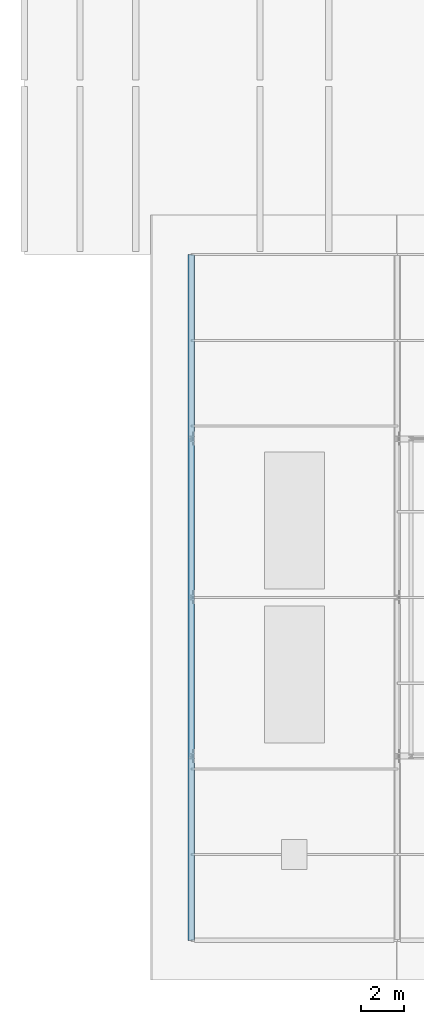
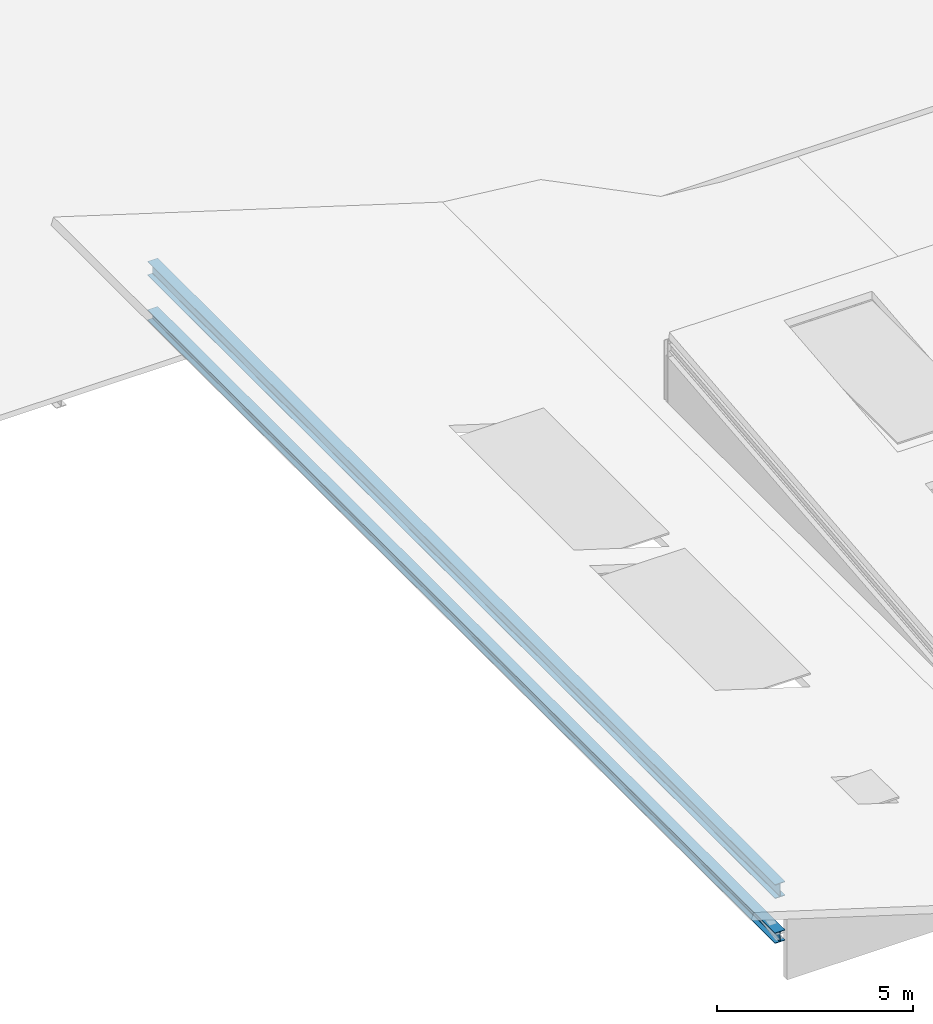
# One storey, part 4 of 30: 2 beams.
"""IFC4 building model written with IfcOpenShell, lengths in metres."""

from ifc_helpers import new_model, si_unit, direction, frame, origin, origin_2d, place, context, subcontext, project, spatial, i_section, extrude, material, material_profile, profile_set, type_object, element, save


model = new_model("IFC4")

# Units and contexts
model_context = context("Model", 3, precision=1e-05, world=origin(), true_north=direction((0.0, 1.0)))
body_context = subcontext(model_context, "Body", "Model", "MODEL_VIEW")
ifc_project = project(units=[si_unit("LENGTHUNIT", "METRE"), si_unit("AREAUNIT", "SQUARE_METRE"), si_unit("VOLUMEUNIT", "CUBIC_METRE"), si_unit("PLANEANGLEUNIT", "RADIAN"), si_unit("MASSUNIT", "GRAM", prefix="KILO")], contexts=[model_context])

# Site, building, storey
site_placement = place(None, origin())
site = spatial("IfcSite", under=ifc_project, at=site_placement, CompositionType="ELEMENT")
building_placement = place(site_placement, origin())
building = spatial("IfcBuilding", under=site, at=building_placement, Name="Alderhovde Museum", CompositionType="ELEMENT")
storey_placement = place(building_placement, frame((0.0, 0.0, 30.699951171875)))
storey = spatial("IfcBuildingStorey", under=building, at=storey_placement, Name="RF", CompositionType="ELEMENT", Elevation=30.699951171875)

# Beams
ifc_material_1 = material(Name="Steel S355J2", Category="steel")
ifc_material_profile_1 = material_profile(ifc_material_1, i_section(OverallWidth=0.300048828125, OverallDepth=0.330078125, WebThickness=0.009521484375, FlangeThickness=0.0166015625, FilletRadius=0.027099609375, at=origin_2d()), Name="HEA 340")
ifc_profile_set_1 = profile_set([ifc_material_profile_1], Name="Steel S355J2")
beam_type_1 = type_object("IfcBeamType", Name="BM-HEA340", PredefinedType="BEAM", material=ifc_profile_set_1)
beam_1_placement = place(storey_placement, frame((9.60009765625, 48.0, -0.25), z_axis=(0.0, 1.0, 0.0), x_axis=(-1.0, 0.0, 0.0)))
element("IfcBeam", 1, at=beam_1_placement, inside=storey, type_object=beam_type_1, Name="Sawtooth Roof Truss X=9.6 Continuous Bottom Chord", PredefinedType="BEAM", context=body_context, shape_type="SweptSolid", body=[
    extrude(i_section(OverallWidth=0.300048828125, OverallDepth=0.330078125, WebThickness=0.009521484375, FlangeThickness=0.0166015625, FilletRadius=0.027099609375, at=origin_2d()), origin(), (0.0, 0.0, 1.0), 32.0),
])
ifc_material_2 = material(Name="Steel S355J2", Category="steel")
ifc_material_profile_2 = material_profile(ifc_material_2, i_section(OverallWidth=0.300048828125, OverallDepth=0.43994140625, WebThickness=0.011474609375, FlangeThickness=0.02099609375, FilletRadius=0.027099609375, at=origin_2d()), Name="HEA 450")
ifc_profile_set_2 = profile_set([ifc_material_profile_2], Name="Steel S355J2")
beam_type_2 = type_object("IfcBeamType", Name="BM-HEA450", PredefinedType="BEAM", material=ifc_profile_set_2)
beam_2_placement = place(storey_placement, frame((9.60009765625, 48.0, 1.199951171875), z_axis=(0.0, 1.0, 0.0), x_axis=(-1.0, 0.0, 0.0)))
element("IfcBeam", 2, at=beam_2_placement, inside=storey, type_object=beam_type_2, Name="Sawtooth Roof Truss X=9.6 Continuous Top Chord", PredefinedType="BEAM", context=body_context, shape_type="SweptSolid", body=[
    extrude(i_section(OverallWidth=0.300048828125, OverallDepth=0.43994140625, WebThickness=0.011474609375, FlangeThickness=0.02099609375, FilletRadius=0.027099609375, at=origin_2d()), origin(), (0.0, 0.0, 1.0), 32.0),
])

save(model, "model.ifc")
